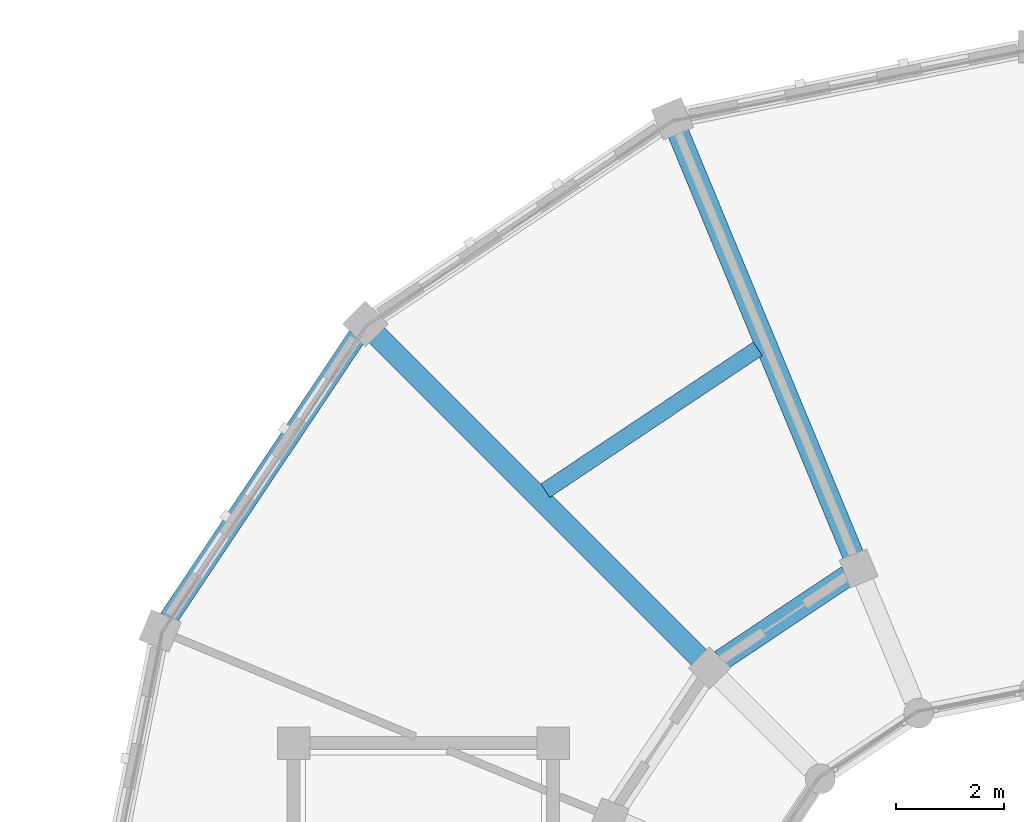
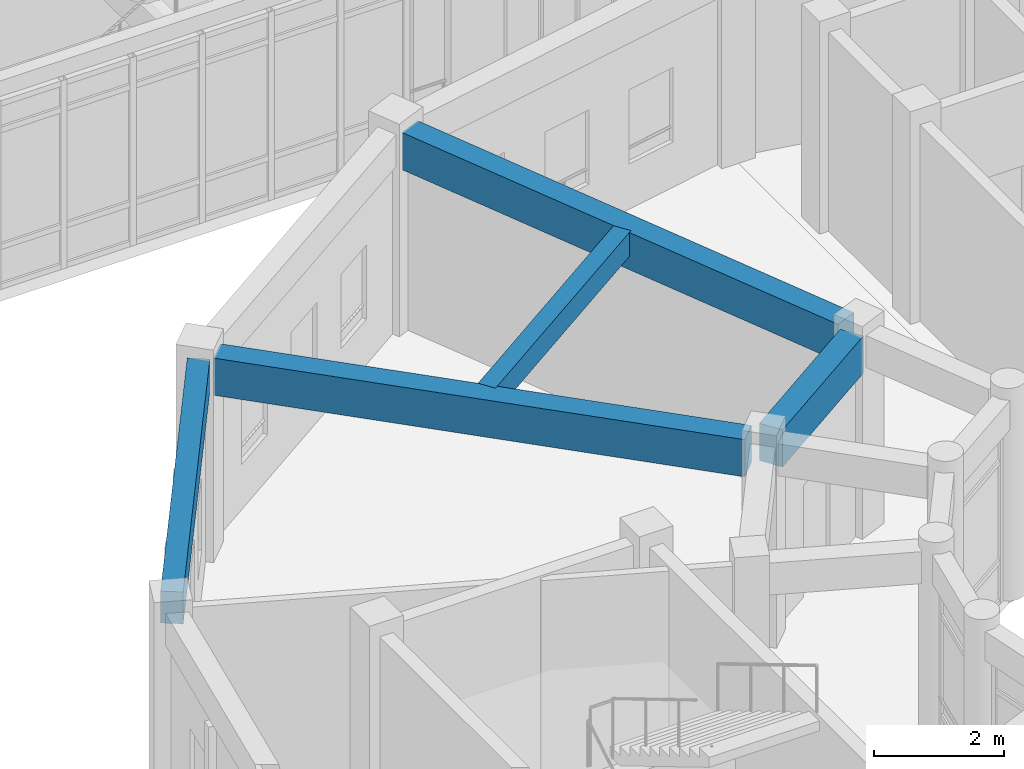
# One storey, part 14 of 159: 5 beams.
"""IFC4 building model written with IfcOpenShell, lengths in metres."""

from ifc_helpers import new_model, si_unit, direction, frame, origin, origin_2d, place, context, subcontext, project, spatial, rectangle, extrude, material, material_profile, profile_set, type_object, element, save


model = new_model("IFC4")

# Units and contexts
model_context = context("Model", 3, precision=1e-05, world=origin(), true_north=direction((0.0, 1.0)))
body_context = subcontext(model_context, "Body", "Model", "MODEL_VIEW")
ifc_project = project(units=[si_unit("LENGTHUNIT", "METRE"), si_unit("AREAUNIT", "SQUARE_METRE"), si_unit("VOLUMEUNIT", "CUBIC_METRE"), si_unit("PLANEANGLEUNIT", "RADIAN"), si_unit("MASSUNIT", "GRAM", prefix="KILO")], contexts=[model_context])

# Site, building, storey
site_placement = place(None, origin())
site = spatial("IfcSite", under=ifc_project, at=site_placement, CompositionType="ELEMENT")
building_placement = place(site_placement, origin())
building = spatial("IfcBuilding", under=site, at=building_placement, Name="Celadon Cloister-Ring School", CompositionType="ELEMENT")
storey_placement = place(building_placement, frame((0.0, 0.0, 4.5)))
storey = spatial("IfcBuildingStorey", under=building, at=storey_placement, Name="L01", CompositionType="ELEMENT", Elevation=4.5)

# Beams
ifc_material_1 = material(Name="Concrete C35/45", Category="concrete")
ifc_material_profile_1 = material_profile(ifc_material_1, rectangle(XDim=0.39990234375, YDim=0.699951171875, at=origin_2d()), Name="RC400X700")
ifc_profile_set_1 = profile_set([ifc_material_profile_1], Name="Concrete C35/45")
beam_type_1 = type_object("IfcBeamType", Name="GT-03", PredefinedType="USERDEFINED", material=ifc_profile_set_1)
beam_1_placement = place(storey_placement, frame((13.60791015625, 35.9140625, 3.429931640625), z_axis=(0.382667268836, -0.923886227499, 0.0), x_axis=(0.923886227499, 0.382667268836, 0.0)))
element("IfcBeam", 1, at=beam_1_placement, inside=storey, type_object=beam_type_1, Name="Beam 0929", ObjectType="GIRDER", PredefinedType="USERDEFINED", context=body_context, shape_type="SweptSolid", body=[
    extrude(rectangle(XDim=0.39990234375, YDim=0.699951171875, at=origin_2d()), origin(), (0.0, 0.0, 1.0), 8.47509765625),
])
beam_2_placement = place(storey_placement, frame((8.02001953125, 32.179931640625, 3.429931640625), z_axis=(0.707106781187, -0.707106781187, 0.0), x_axis=(0.707106781187, 0.707106781187, 0.0)))
element("IfcBeam", 2, at=beam_2_placement, inside=storey, type_object=beam_type_1, Name="Beam 0931", ObjectType="GIRDER", PredefinedType="USERDEFINED", context=body_context, shape_type="SweptSolid", body=[
    extrude(rectangle(XDim=0.39990234375, YDim=0.699951171875, at=origin_2d()), origin(), (0.0, 0.0, 1.0), 8.475341796875),
])
beam_3_placement = place(storey_placement, frame((16.739013671875, 27.714111328125, 3.429931640625), z_axis=(-0.831315995752, -0.555800067657, 0.0), x_axis=(0.555800067657, -0.831315995752, 0.0)))
element("IfcBeam", 3, at=beam_3_placement, inside=storey, type_object=beam_type_1, Name="Beam 0962", ObjectType="GIRDER", PredefinedType="USERDEFINED", context=body_context, shape_type="SweptSolid", body=[
    extrude(rectangle(XDim=0.39990234375, YDim=0.699951171875, at=origin_2d()), origin(), (0.0, 0.0, 1.0), 2.816162109375),
])
ifc_material_2 = material(Name="Concrete C35/45", Category="concrete")
ifc_material_profile_2 = material_profile(ifc_material_2, rectangle(XDim=0.300048828125, YDim=0.449951171875, at=origin_2d()), Name="RC300X450")
ifc_profile_set_2 = profile_set([ifc_material_profile_2], Name="Concrete C35/45")
beam_type_2 = type_object("IfcBeamType", Name="JT-01", PredefinedType="JOIST", material=ifc_profile_set_2)
beam_4_placement = place(storey_placement, frame((15.0791015625, 31.9130859375, 3.554931640625), z_axis=(-0.831333623542, -0.55577370068, 0.0), x_axis=(0.55577370068, -0.831333623542, 0.0)))
element("IfcBeam", 4, at=beam_4_placement, inside=storey, type_object=beam_type_2, Name="Beam 0964", PredefinedType="JOIST", context=body_context, shape_type="SweptSolid", body=[
    extrude(rectangle(XDim=0.300048828125, YDim=0.449951171875, at=origin_2d()), origin(), (0.0, 0.0, 1.0), 4.721435546875),
])
ifc_material_3 = material(Name="Concrete C35/45", Category="concrete")
ifc_material_profile_3 = material_profile(ifc_material_3, rectangle(XDim=0.35009765625, YDim=0.60009765625, at=origin_2d()), Name="RC350X600")
ifc_profile_set_3 = profile_set([ifc_material_profile_3], Name="Concrete C35/45")
beam_type_3 = type_object("IfcBeamType", Name="SP-01", PredefinedType="SPANDREL", material=ifc_profile_set_3)
beam_5_placement = place(storey_placement, frame((7.673095703125, 32.14501953125, 3.47998046875), z_axis=(-0.555660177561, -0.831409506244, 0.0), x_axis=(0.831409506244, -0.555660177561, 0.0)))
element("IfcBeam", 5, at=beam_5_placement, inside=storey, type_object=beam_type_3, Name="Beam 0965", PredefinedType="SPANDREL", context=body_context, shape_type="SweptSolid", body=[
    extrude(rectangle(XDim=0.35009765625, YDim=0.60009765625, at=origin_2d()), origin(), (0.0, 0.0, 1.0), 6.27734375),
])

save(model, "model.ifc")
